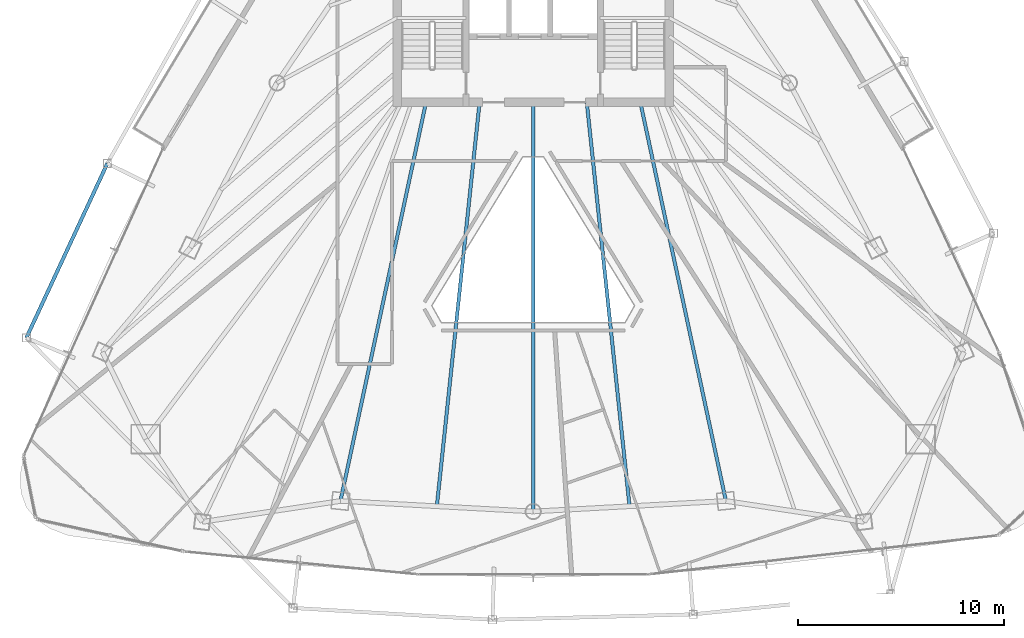
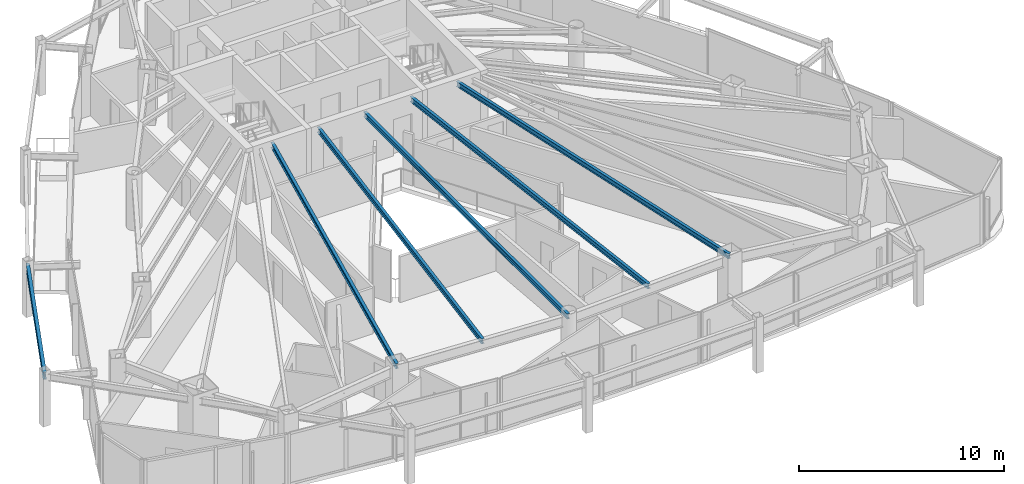
# One storey, part 9 of 29: 6 beams.
"""IFC4 building model written with IfcOpenShell, lengths in metres."""

from ifc_helpers import new_model, si_unit, direction, frame, origin, origin_2d, place, context, subcontext, project, spatial, i_section, extrude, material, material_profile, profile_set, type_object, element, save


model = new_model("IFC4")

# Units and contexts
model_context = context("Model", 3, precision=1e-05, world=origin(), true_north=direction((0.0, 1.0)))
body_context = subcontext(model_context, "Body", "Model", "MODEL_VIEW")
ifc_project = project(units=[si_unit("LENGTHUNIT", "METRE"), si_unit("AREAUNIT", "SQUARE_METRE"), si_unit("VOLUMEUNIT", "CUBIC_METRE"), si_unit("PLANEANGLEUNIT", "RADIAN"), si_unit("MASSUNIT", "GRAM", prefix="KILO")], contexts=[model_context])

# Site, building, storey
site_placement = place(None, origin())
site = spatial("IfcSite", under=ifc_project, at=site_placement, CompositionType="ELEMENT")
building_placement = place(site_placement, origin())
building = spatial("IfcBuilding", under=site, at=building_placement, Name="Orvanel Arch Residences", CompositionType="ELEMENT")
storey_placement = place(building_placement, frame((0.0, 0.0, 160.550048828125)))
storey = spatial("IfcBuildingStorey", under=building, at=storey_placement, Name="L45", CompositionType="ELEMENT", Elevation=160.550048828125)

# Beams
ifc_material = material(Name="Structural steel AS/NZS 3679.1 Grade 300 (300 MPa)", Category="steel")
ifc_material_profile_1 = material_profile(ifc_material, i_section(OverallWidth=0.1650390625, OverallDepth=0.303955078125, WebThickness=0.006103515625, FlangeThickness=0.01025390625, at=origin_2d()), Name="310UB40.4")
ifc_profile_set_1 = profile_set([ifc_material_profile_1], Name="Structural steel AS/NZS 3679.1 Grade 300 (300 MPa)")
beam_type_1 = type_object("IfcBeamType", Name="BJ-310UB", PredefinedType="JOIST", material=ifc_profile_set_1)
for number, where, z_axis, x_axis, name in (
    (1, (27.800048828125, 26.699951171875, 2.907958984375), (-0.209808012425, -0.977742603103, 0.0), (0.977742603103, -0.209808012425, 0.0), "L45 SW Wing Floor Joist"),
    (2, (38.199951171875, 26.699951171875, 2.907958984375), (0.209808012425, -0.977742603103, 0.0), (0.977742603103, 0.209808012425, 0.0), "L45 SE Wing Floor Joist"),
):
    element("IfcBeam", number, at=place(storey_placement, frame(where, z_axis=z_axis, x_axis=x_axis)), inside=storey, type_object=beam_type_1, Name=name, PredefinedType="JOIST", context=body_context, shape_type="SweptSolid", body=[
        extrude(i_section(OverallWidth=0.1650390625, OverallDepth=0.303955078125, WebThickness=0.006103515625, FlangeThickness=0.01025390625, at=origin_2d()), origin(), (0.0, 0.0, 1.0), 19.785400390625),
    ])
beam_1_placement = place(storey_placement, frame((33.0, 26.699951171875, 2.907958984375), z_axis=(0.0, -1.0, 0.0), x_axis=(1.0, 0.0, 0.0)))
element("IfcBeam", 3, at=beam_1_placement, inside=storey, type_object=beam_type_1, Name="L45 SSW Wing Floor Joist", PredefinedType="JOIST", context=body_context, shape_type="SweptSolid", body=[
    extrude(i_section(OverallWidth=0.1650390625, OverallDepth=0.303955078125, WebThickness=0.006103515625, FlangeThickness=0.01025390625, at=origin_2d()), origin(), (0.0, 0.0, 1.0), 19.85595703125),
])
for number, where, z_axis, x_axis, name in (
    (4, (30.39990234375, 26.699951171875, 2.907958984375), (-0.105277340935, -0.994442900063, 0.0), (0.994442900063, -0.105277340935, 0.0), "L45 WSW2 Wing Floor Joist"),
    (5, (35.60009765625, 26.699951171875, 2.907958984375), (0.105277340935, -0.994442900063, 0.0), (0.994442900063, 0.105277340935, 0.0), "L45 ESE2 Wing Floor Joist"),
):
    element("IfcBeam", number, at=place(storey_placement, frame(where, z_axis=z_axis, x_axis=x_axis)), inside=storey, type_object=beam_type_1, Name=name, PredefinedType="JOIST", context=body_context, shape_type="SweptSolid", body=[
        extrude(i_section(OverallWidth=0.1650390625, OverallDepth=0.303955078125, WebThickness=0.006103515625, FlangeThickness=0.01025390625, at=origin_2d()), origin(), (0.0, 0.0, 1.0), 19.70947265625),
    ])
ifc_material_profile_2 = material_profile(ifc_material, i_section(OverallWidth=0.177978515625, OverallDepth=0.406005859375, WebThickness=0.0078125, FlangeThickness=0.0126953125, at=origin_2d()), Name="410UB59.7")
ifc_profile_set_2 = profile_set([ifc_material_profile_2], Name="Structural steel AS/NZS 3679.1 Grade 300 (300 MPa)")
beam_type_2 = type_object("IfcBeamType", Name="OB-410UB-EXT", PredefinedType="SPANDREL", material=ifc_profile_set_2)
beam_2_placement = place(storey_placement, frame((12.337890625, 23.73291015625, 2.85693359375), z_axis=(-0.421169744056, -0.906981833717, 0.0), x_axis=(0.906981833717, -0.421169744056, 0.0)))
element("IfcBeam", 6, at=beam_2_placement, inside=storey, type_object=beam_type_2, Name="L45 Outer Perimeter Floor Ring Beam 03", PredefinedType="SPANDREL", context=body_context, shape_type="SweptSolid", body=[
    extrude(i_section(OverallWidth=0.177978515625, OverallDepth=0.406005859375, WebThickness=0.0078125, FlangeThickness=0.0126953125, at=origin_2d()), origin(), (0.0, 0.0, 1.0), 9.32861328125),
])

save(model, "model.ifc")
